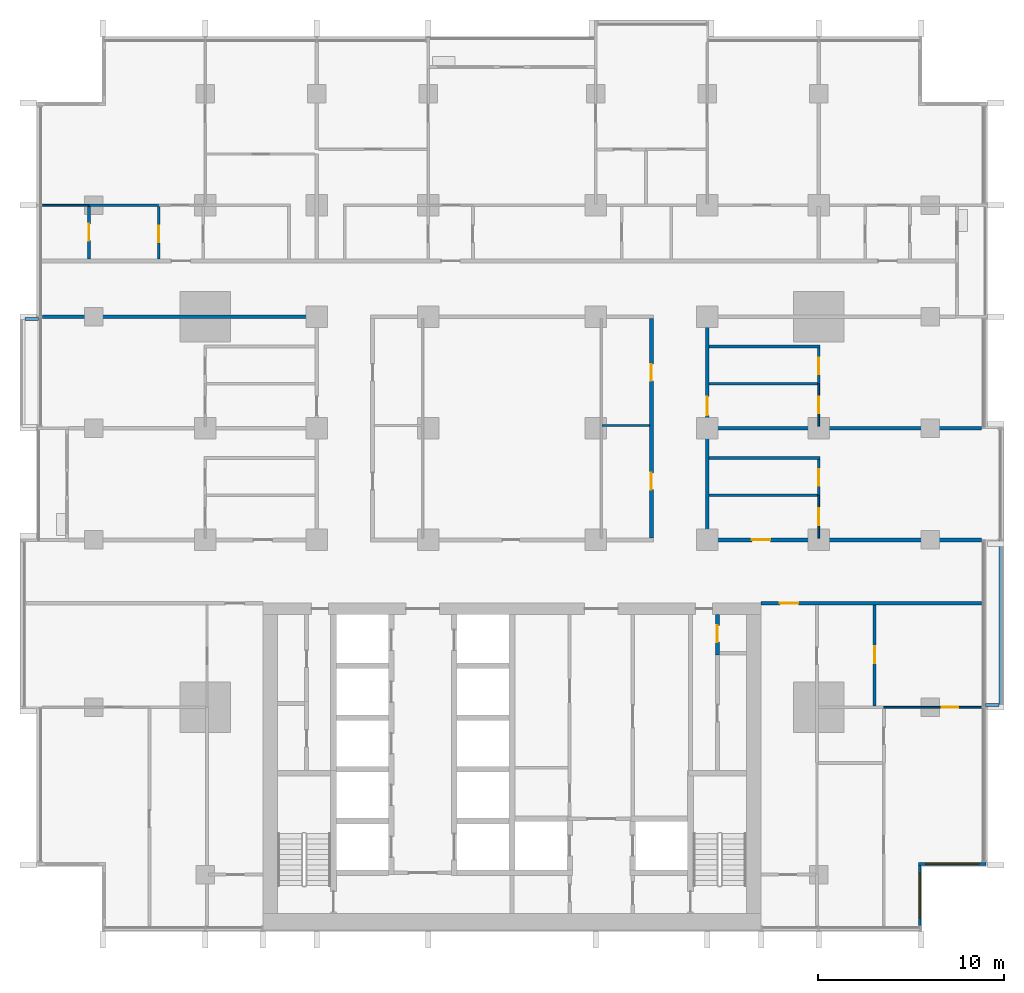
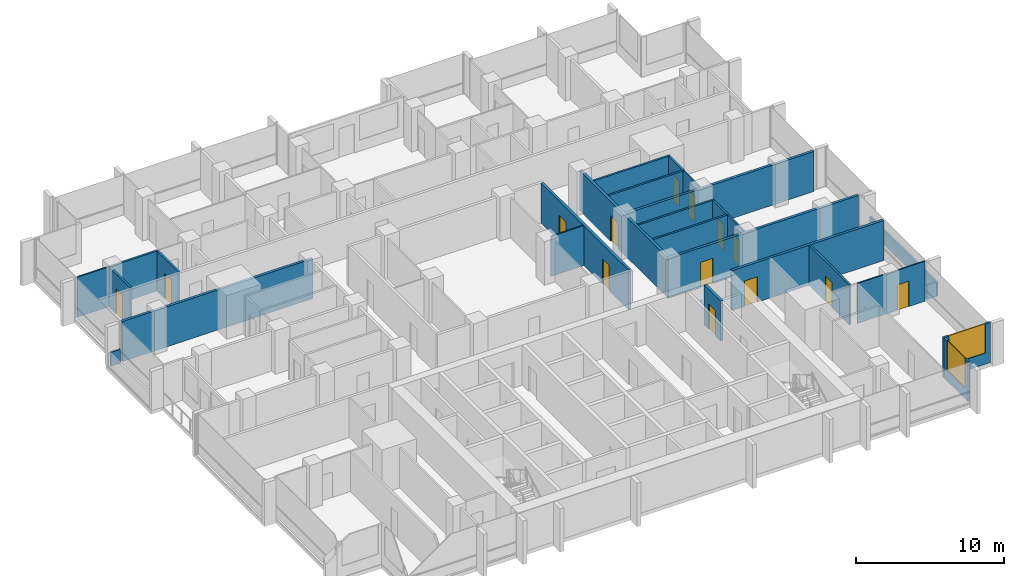
# One storey, part 10 of 17: 27 walls, 14 doors, 2 windows, 16 openings.
"""IFC4 building model written with IfcOpenShell, lengths in metres."""

import ifcopenshell
import ifcopenshell.guid

model = None  # the IFC model being written
_history = None  # IfcOwnerHistory: only IFC2X3 demands one
_inside = {}  # id of a spatial element -> (the spatial element, [elements in it])
_under = {}  # id of a project, library or spatial element -> (it, [spatial elements below it])
_declared = {}  # id of a project -> (the project, [libraries it declares])
_typed = {}  # id of a type object -> (the type object, [elements of that type])
_made_of = {}  # id of a material, layer set ... -> (it, [elements and type objects made of it])


def new_model(schema):
    """Start an empty IFC model of exactly this schema.

    Asked for "IFC4X3", IfcOpenShell would pick the latest addendum, in which some entities
    have other attributes; the version numbers below select the first issue.
    IFC2X3 requires an IfcOwnerHistory on every rooted entity: one is made here for all.
    """
    global model, _history
    if schema == "IFC4X3":
        model = ifcopenshell.file(schema_version=(4, 3, 0, 0))
    else:
        model = ifcopenshell.file(schema=schema)
    _inside.clear()
    _under.clear()
    _declared.clear()
    _typed.clear()
    _made_of.clear()
    _history = None
    if model.schema == "IFC2X3":
        org = make("IfcOrganization", Name="unknown")
        user = make(
            "IfcPersonAndOrganization",
            ThePerson=make("IfcPerson", FamilyName="unknown"),
            TheOrganization=org,
        )
        app = make(
            "IfcApplication",
            ApplicationDeveloper=org,
            Version="unknown",
            ApplicationFullName="unknown",
            ApplicationIdentifier="unknown",
        )
        _history = make(
            "IfcOwnerHistory",
            OwningUser=user,
            OwningApplication=app,
            ChangeAction="ADDED",
            CreationDate=0,
        )
    return model


def make(cls, **values):
    """One entity of the class cls with the attributes given. An attribute that is None is left unset."""
    return model.create_entity(
        cls, **{name: value for name, value in values.items() if value is not None}
    )


def rooted(cls, **values):
    """An entity with a GlobalId (a new one), such as an element, a storey or a relation."""
    return make(cls, GlobalId=ifcopenshell.guid.new(), OwnerHistory=_history, **values)


def si_unit(unit_type, name, prefix=None):
    """IfcSIUnit, for example si_unit("LENGTHUNIT", "METRE", prefix="MILLI")."""
    return make("IfcSIUnit", UnitType=unit_type, Prefix=prefix, Name=name)


def assignment(units):
    """IfcUnitAssignment: the units of a project."""
    return None if units is None else make("IfcUnitAssignment", Units=units)


def point(xyz):
    """IfcCartesianPoint."""
    return None if xyz is None else make("IfcCartesianPoint", Coordinates=xyz)


def direction(xyz):
    """IfcDirection."""
    return None if xyz is None else make("IfcDirection", DirectionRatios=xyz)


def frame(location, z_axis=None, x_axis=None):
    """IfcAxis2Placement3D, a coordinate frame: its origin and axes. An axis left out is left unset."""
    return make(
        "IfcAxis2Placement3D",
        Location=point(location),
        Axis=direction(z_axis),
        RefDirection=direction(x_axis),
    )


def frame_2d(location, x_axis=None):
    """IfcAxis2Placement2D, a coordinate frame in the plane: its origin and x axis."""
    return make(
        "IfcAxis2Placement2D", Location=point(location), RefDirection=direction(x_axis)
    )


def origin():
    """The frame at (0, 0, 0) with its axes left unset."""
    return frame((0.0, 0.0, 0.0))


def place(relative_to, where):
    """IfcLocalPlacement: puts the frame where relative to a parent placement (None: the world)."""
    return make(
        "IfcLocalPlacement", PlacementRelTo=relative_to, RelativePlacement=where
    )


def context(
    kind, dimensions, precision=None, world=None, true_north=None, identifier=None
):
    """IfcGeometricRepresentationContext, for example the 3D "Model" context."""
    return make(
        "IfcGeometricRepresentationContext",
        ContextIdentifier=identifier,
        ContextType=kind,
        CoordinateSpaceDimension=dimensions,
        Precision=precision,
        WorldCoordinateSystem=world,
        TrueNorth=true_north,
    )


def subcontext(parent, identifier, kind, view, scale=None):
    """IfcGeometricRepresentationSubContext, for example "Body" below "Model"."""
    return make(
        "IfcGeometricRepresentationSubContext",
        ContextIdentifier=identifier,
        ContextType=kind,
        ParentContext=parent,
        TargetScale=scale,
        TargetView=view,
    )


def project(units=None, contexts=None):
    """IfcProject with its units and contexts."""
    return rooted(
        "IfcProject",
        Name="project",
        RepresentationContexts=contexts,
        UnitsInContext=assignment(units),
    )


def spatial(cls, under=None, at=None, **own):
    """A site, building, storey or space (cls), placed at a placement, below another one or the project."""
    s = rooted(cls, ObjectPlacement=at, **own)
    if under is not None:
        _under.setdefault(under.id(), (under, []))[1].append(s)
    return s


def profile(cls, at=None, kind="AREA", **sizes):
    """A parametric profile (cls). Its sizes go by their IFC names, for example OverallWidth=200.0."""
    return make(cls, ProfileType=kind, Position=at, **sizes)


def rectangle(**sizes):
    """IfcRectangleProfileDef."""
    return profile("IfcRectangleProfileDef", **sizes)


def extrude(swept, where, along, depth):
    """IfcExtrudedAreaSolid: the profile swept, set in the frame where, extruded along a direction by depth."""
    return make(
        "IfcExtrudedAreaSolid",
        SweptArea=swept,
        Position=where,
        ExtrudedDirection=direction(along),
        Depth=depth,
    )


def shape(context_of_items, identifier, shape_type, items):
    """IfcShapeRepresentation: the items that make up one representation, for example the "Body"."""
    return make(
        "IfcShapeRepresentation",
        ContextOfItems=context_of_items,
        RepresentationIdentifier=identifier,
        RepresentationType=shape_type,
        Items=items,
    )


def material(Name=None, Category=None):
    """IfcMaterial."""
    return make("IfcMaterial", Name=Name, Category=Category)


def layer(
    of_material, thickness, ventilated=None, Name=None, Category=None, Priority=None
):
    """IfcMaterialLayer: one layer of a wall or slab, of a material (None: an air gap)."""
    return make(
        "IfcMaterialLayer",
        Material=of_material,
        LayerThickness=thickness,
        IsVentilated=ventilated,
        Name=Name,
        Category=Category,
        Priority=Priority,
    )


def layer_set(layers, Name=None):
    """IfcMaterialLayerSet."""
    return make("IfcMaterialLayerSet", MaterialLayers=layers, LayerSetName=Name)


def made_of(thing, what):
    """Note that an element or type object is made of a material, layer set ...; save() writes the relation."""
    if what is not None:
        _made_of.setdefault(what.id(), (what, []))[1].append(thing)
    return thing


def type_object(cls, material=None, **own):
    """A type object (cls), such as IfcWallType, which elements share."""
    return made_of(rooted(cls, **own), material)


def element(
    cls,
    number,
    at=None,
    inside=None,
    cuts=None,
    type_object=None,
    material=None,
    context=None,
    identifier="Body",
    shape_type=None,
    held_by="IfcProductDefinitionShape",
    body=None,
    shapes=None,
    **own,
):
    """One element of the class cls, such as IfcWall. Its Tag is "e" and its number.

    at: its placement. inside: the storey or other place that contains it. cuts: it is an
    opening in that element (IfcRelVoidsElement). A single representation is given by context,
    identifier, shape_type and body (its items); several are given by shapes. held_by: the class
    of the entity that holds the representations. save() writes the other relations.
    """
    e = rooted(cls, Tag="e%d" % number, ObjectPlacement=at, **own)
    if body is not None:
        shapes = [shape(context, identifier, shape_type, body)]
    if shapes is not None:
        e.Representation = make(held_by, Representations=shapes)
    if inside is not None:
        _inside.setdefault(inside.id(), (inside, []))[1].append(e)
    if cuts is not None:
        rooted(
            "IfcRelVoidsElement", RelatingBuildingElement=cuts, RelatedOpeningElement=e
        )
    if type_object is not None:
        _typed.setdefault(type_object.id(), (type_object, []))[1].append(e)
    return made_of(e, material)


def fill(opening, filler):
    """IfcRelFillsElement: the door or window that sits in an opening."""
    return rooted(
        "IfcRelFillsElement",
        RelatingOpeningElement=opening,
        RelatedBuildingElement=filler,
    )


def aggregate(whole, parts):
    """IfcRelAggregates: a whole, such as a stair, and the parts it consists of."""
    return rooted("IfcRelAggregates", RelatingObject=whole, RelatedObjects=parts)


def save(model, path):
    """Write the relations noted so far, then the file.

    IfcRelAggregates (storeys below a building ...), IfcRelContainedInSpatialStructure (elements
    in a storey), IfcRelDefinesByType, IfcRelAssociatesMaterial and IfcRelDeclares: one each for
    every whole, place, type object, material and project.
    """
    for whole, parts in _under.values():
        aggregate(whole, parts)
    for where, things in _inside.values():
        rooted(
            "IfcRelContainedInSpatialStructure",
            RelatedElements=things,
            RelatingStructure=where,
        )
    for kind, things in _typed.values():
        rooted("IfcRelDefinesByType", RelatedObjects=things, RelatingType=kind)
    for what, things in _made_of.values():
        rooted("IfcRelAssociatesMaterial", RelatedObjects=things, RelatingMaterial=what)
    for by, libraries in _declared.values():
        rooted("IfcRelDeclares", RelatingContext=by, RelatedDefinitions=libraries)
    model.write(path)


model = new_model("IFC4")

# Units and contexts
model_context = context("Model", 3, precision=1e-05, world=origin(), true_north=direction((0.0, 1.0)))
body_context = subcontext(model_context, "Body", "Model", "MODEL_VIEW")
ifc_project = project(units=[si_unit("LENGTHUNIT", "METRE"), si_unit("AREAUNIT", "SQUARE_METRE"), si_unit("VOLUMEUNIT", "CUBIC_METRE"), si_unit("PLANEANGLEUNIT", "RADIAN"), si_unit("MASSUNIT", "GRAM", prefix="KILO")], contexts=[model_context])

# Site, building, storey
site_placement = place(None, origin())
site = spatial("IfcSite", under=ifc_project, at=site_placement, CompositionType="ELEMENT")
building_placement = place(site_placement, origin())
building = spatial("IfcBuilding", under=site, at=building_placement, Name="Finial Court Residences", CompositionType="ELEMENT")
storey_placement = place(building_placement, frame((0.0, 0.0, 99.10009765625)))
storey = spatial("IfcBuildingStorey", under=building, at=storey_placement, Name="L24", CompositionType="ELEMENT", Elevation=99.10009765625)

# Wall
ifc_material_1 = material(Name="Gypsum board")
ifc_layer_1 = layer(ifc_material_1, 0.02490234375)
ifc_material_2 = material(Name="Acoustic mineral wool in double frame")
ifc_layer_2 = layer(ifc_material_2, 0.14990234375)
ifc_layer_3 = layer(ifc_material_1, 0.02490234375)
ifc_layer_set_1 = layer_set([ifc_layer_1, ifc_layer_2, ifc_layer_3], Name="Acoustic party wall 200, 1 hour")
wall_type_1 = type_object("IfcWallType", Name="Acoustic party wall 200, 1 hour", PredefinedType="PARTITIONING", material=ifc_layer_set_1)
wall_1_placement = place(storey_placement, frame((10.60009765625, 1.5, 0.0), z_axis=(0.0, 0.0, 1.0), x_axis=(1.0, 0.0, 0.0)))
element("IfcWall", 1, at=wall_1_placement, inside=storey, type_object=wall_type_1, Name="Partition L24-017", PredefinedType="PARTITIONING", context=body_context, shape_type="SweptSolid", body=[
    extrude(rectangle(XDim=14.64990234375, YDim=0.199951171875, at=frame_2d((7.324951171875, 0.0))), origin(), (0.0, 0.0, 1.0), 3.2998046875),
])

# Wall, opening, door
ifc_layer_4 = layer(ifc_material_1, 0.02490234375)
ifc_layer_5 = layer(ifc_material_2, 0.14990234375)
ifc_layer_6 = layer(ifc_material_1, 0.02490234375)
ifc_layer_set_2 = layer_set([ifc_layer_4, ifc_layer_5, ifc_layer_6], Name="Corridor wall 200, 1 hour")
wall_type_2 = type_object("IfcWallType", Name="Corridor wall 200, 1 hour", PredefinedType="PARTITIONING", material=ifc_layer_set_2)
wall_2_placement = place(storey_placement, frame((13.39990234375, -7.89990234375, 0.0), z_axis=(0.0, 0.0, 1.0), x_axis=(1.0, 0.0, 0.0)))
wall_2 = element("IfcWall", 2, at=wall_2_placement, inside=storey, type_object=wall_type_2, Name="Partition L24-008", PredefinedType="PARTITIONING", context=body_context, shape_type="SweptSolid", body=[
    extrude(rectangle(XDim=11.85009765625, YDim=0.199951171875, at=frame_2d((5.925048828125, 0.0))), origin(), (0.0, 0.0, 1.0), 3.2998046875),
])
opening_1_placement = place(wall_2_placement, frame((1.0, 0.0, 0.0)))
opening_1 = element("IfcOpeningElement", 3, at=opening_1_placement, cuts=wall_2, Name="Opening L24-D006", PredefinedType="OPENING", context=body_context, shape_type="SweptSolid", body=[
    extrude(rectangle(XDim=1.0, YDim=2.10009765625, at=frame_2d((0.5, 1.050048828125))), frame((0.0, 0.10986328125, 0.0), z_axis=(0.0, -1.0, 0.0), x_axis=(1.0, 0.0, 0.0)), (0.0, 0.0, 1.0), 0.219970703125),
])
ifc_material_3 = material(Name="Timber door leaf in hollow metal frame", Category="wood")
door_type_1 = type_object("IfcDoorType", Name="Fire door set 1000 x 2100, 30 minutes", OperationType="SINGLE_SWING_LEFT", PredefinedType="DOOR", material=ifc_material_3)
door_1_placement = place(opening_1_placement, origin())
door_1 = element("IfcDoor", 4, at=door_1_placement, inside=storey, type_object=door_type_1, Name="Door L24-D006", OperationType="SINGLE_SWING_LEFT", OverallHeight=2.10009765625, OverallWidth=1.0, PredefinedType="DOOR", context=body_context, shape_type="SweptSolid", body=[
    extrude(rectangle(XDim=1.0, YDim=2.10009765625, at=frame_2d((0.5, 1.050048828125))), frame((0.0, 0.02490234375, 0.0), z_axis=(0.0, -1.0, 0.0), x_axis=(1.0, 0.0, 0.0)), (0.0, 0.0, 1.0), 0.050048828125),
])
fill(opening_1, door_1)

wall_3_placement = place(storey_placement, frame((10.39990234375, -4.5, 0.0), z_axis=(0.0, 0.0, 1.0), x_axis=(1.0, 0.0, 0.0)))
wall_3 = element("IfcWall", 5, at=wall_3_placement, inside=storey, type_object=wall_type_2, Name="Partition L24-011", PredefinedType="PARTITIONING", context=body_context, shape_type="SweptSolid", body=[
    extrude(rectangle(XDim=14.85009765625, YDim=0.199951171875, at=frame_2d((7.425048828125, 0.0))), origin(), (0.0, 0.0, 1.0), 3.2998046875),
])
opening_2_placement = place(wall_3_placement, frame((2.5, 0.0, 0.0)))
opening_2 = element("IfcOpeningElement", 6, at=opening_2_placement, cuts=wall_3, Name="Opening L24-D009", PredefinedType="OPENING", context=body_context, shape_type="SweptSolid", body=[
    extrude(rectangle(XDim=1.0, YDim=2.10009765625, at=frame_2d((0.5, 1.050048828125))), frame((0.0, 0.10986328125, 0.0), z_axis=(0.0, -1.0, 0.0), x_axis=(1.0, 0.0, 0.0)), (0.0, 0.0, 1.0), 0.219970703125),
])
door_2_placement = place(opening_2_placement, origin())
door_2 = element("IfcDoor", 7, at=door_2_placement, inside=storey, type_object=door_type_1, Name="Door L24-D009", OperationType="SINGLE_SWING_RIGHT", OverallHeight=2.10009765625, OverallWidth=1.0, PredefinedType="DOOR", context=body_context, shape_type="SweptSolid", body=[
    extrude(rectangle(XDim=1.0, YDim=2.10009765625, at=frame_2d((0.5, 1.050048828125))), frame((0.0, 0.02490234375, 0.0), z_axis=(0.0, -1.0, 0.0), x_axis=(1.0, 0.0, 0.0)), (0.0, 0.0, 1.0), 0.050048828125),
])
fill(opening_2, door_2)

# Wall
wall_4_placement = place(storey_placement, frame((-25.25, 7.5, 0.0), z_axis=(0.0, 0.0, 1.0), x_axis=(1.0, 0.0, 0.0)))
element("IfcWall", 8, at=wall_4_placement, inside=storey, type_object=wall_type_2, Name="Partition L24-024", PredefinedType="PARTITIONING", context=body_context, shape_type="SweptSolid", body=[
    extrude(rectangle(XDim=14.85009765625, YDim=0.199951171875, at=frame_2d((7.425048828125, 0.0))), origin(), (0.0, 0.0, 1.0), 3.2998046875),
])

# Wall, openings, doors
wall_5_placement = place(storey_placement, frame((7.5, -4.39990234375, 0.0), z_axis=(0.0, 0.0, 1.0), x_axis=(0.0, 1.0, 0.0)))
wall_5 = element("IfcWall", 9, at=wall_5_placement, inside=storey, type_object=wall_type_2, Name="Partition L24-067", PredefinedType="PARTITIONING", context=body_context, shape_type="SweptSolid", body=[
    extrude(rectangle(XDim=11.7998046875, YDim=0.199951171875, at=frame_2d((5.89990234375, 0.0))), origin(), (0.0, 0.0, 1.0), 3.2998046875),
])
opening_3_placement = place(wall_5_placement, frame((2.60009765625, 0.0, 0.0)))
opening_3 = element("IfcOpeningElement", 10, at=opening_3_placement, cuts=wall_5, Name="Opening L24-D039", PredefinedType="OPENING", context=body_context, shape_type="SweptSolid", body=[
    extrude(rectangle(XDim=0.89990234375, YDim=2.10009765625, at=frame_2d((0.449951171875, 1.050048828125))), frame((0.0, 0.10986328125, 0.0), z_axis=(0.0, -1.0, 0.0), x_axis=(1.0, 0.0, 0.0)), (0.0, 0.0, 1.0), 0.219970703125),
])
opening_4_placement = place(wall_5_placement, frame((8.449951171875, 0.0, 0.0)))
opening_4 = element("IfcOpeningElement", 11, at=opening_4_placement, cuts=wall_5, Name="Opening L24-D040", PredefinedType="OPENING", context=body_context, shape_type="SweptSolid", body=[
    extrude(rectangle(XDim=0.89990234375, YDim=2.10009765625, at=frame_2d((0.449951171875, 1.050048828125))), frame((0.0, 0.10986328125, 0.0), z_axis=(0.0, -1.0, 0.0), x_axis=(1.0, 0.0, 0.0)), (0.0, 0.0, 1.0), 0.219970703125),
])
door_type_2 = type_object("IfcDoorType", Name="Fire door set 900 x 2100, 30 minutes", OperationType="SINGLE_SWING_LEFT", PredefinedType="DOOR", material=ifc_material_3)
door_3_placement = place(opening_3_placement, origin())
door_3 = element("IfcDoor", 12, at=door_3_placement, inside=storey, type_object=door_type_2, Name="Door L24-D039", OperationType="SINGLE_SWING_RIGHT", OverallHeight=2.10009765625, OverallWidth=0.89990234375, PredefinedType="DOOR", context=body_context, shape_type="SweptSolid", body=[
    extrude(rectangle(XDim=0.89990234375, YDim=2.10009765625, at=frame_2d((0.449951171875, 1.050048828125))), frame((0.0, 0.02490234375, 0.0), z_axis=(0.0, -1.0, 0.0), x_axis=(1.0, 0.0, 0.0)), (0.0, 0.0, 1.0), 0.050048828125),
])
fill(opening_3, door_3)
door_4_placement = place(opening_4_placement, origin())
door_4 = element("IfcDoor", 13, at=door_4_placement, inside=storey, type_object=door_type_2, Name="Door L24-D040", OperationType="SINGLE_SWING_LEFT", OverallHeight=2.10009765625, OverallWidth=0.89990234375, PredefinedType="DOOR", context=body_context, shape_type="SweptSolid", body=[
    extrude(rectangle(XDim=0.89990234375, YDim=2.10009765625, at=frame_2d((0.449951171875, 1.050048828125))), frame((0.0, 0.02490234375, 0.0), z_axis=(0.0, -1.0, 0.0), x_axis=(1.0, 0.0, 0.0)), (0.0, 0.0, 1.0), 0.050048828125),
])
fill(opening_4, door_4)

# Wall, opening, door
wall_6_placement = place(storey_placement, frame((10.5, -4.39990234375, 0.0), z_axis=(0.0, 0.0, 1.0), x_axis=(0.0, 1.0, 0.0)))
wall_6 = element("IfcWall", 14, at=wall_6_placement, inside=storey, type_object=wall_type_2, Name="Partition L24-069", PredefinedType="PARTITIONING", context=body_context, shape_type="SweptSolid", body=[
    extrude(rectangle(XDim=11.7998046875, YDim=0.199951171875, at=frame_2d((5.89990234375, 0.0))), origin(), (0.0, 0.0, 1.0), 3.2998046875),
])
opening_5_placement = place(wall_6_placement, frame((6.60009765625, 0.0, 0.0)))
opening_5 = element("IfcOpeningElement", 15, at=opening_5_placement, cuts=wall_6, Name="Opening L24-D041", PredefinedType="OPENING", context=body_context, shape_type="SweptSolid", body=[
    extrude(rectangle(XDim=1.0, YDim=2.10009765625, at=frame_2d((0.5, 1.050048828125))), frame((0.0, 0.10986328125, 0.0), z_axis=(0.0, -1.0, 0.0), x_axis=(1.0, 0.0, 0.0)), (0.0, 0.0, 1.0), 0.219970703125),
])
door_5_placement = place(opening_5_placement, origin())
door_5 = element("IfcDoor", 16, at=door_5_placement, inside=storey, type_object=door_type_1, Name="Door L24-D041", OperationType="SINGLE_SWING_RIGHT", OverallHeight=2.10009765625, OverallWidth=1.0, PredefinedType="DOOR", context=body_context, shape_type="SweptSolid", body=[
    extrude(rectangle(XDim=1.0, YDim=2.10009765625, at=frame_2d((0.5, 1.050048828125))), frame((0.0, 0.02490234375, 0.0), z_axis=(0.0, -1.0, 0.0), x_axis=(1.0, 0.0, 0.0)), (0.0, 0.0, 1.0), 0.050048828125),
])
fill(opening_5, door_5)

ifc_layer_7 = layer(ifc_material_1, 0.012451171875)
ifc_material_4 = material(Name="Mineral wool in light-gauge frame")
ifc_layer_8 = layer(ifc_material_4, 0.074951171875)
ifc_layer_9 = layer(ifc_material_1, 0.012451171875)
ifc_layer_set_3 = layer_set([ifc_layer_7, ifc_layer_8, ifc_layer_9], Name="Gypsum board partition 100")
wall_type_3 = type_object("IfcWallType", Name="Gypsum board partition 100", PredefinedType="PARTITIONING", material=ifc_layer_set_3)
wall_7_placement = place(storey_placement, frame((20.0, -13.5, 0.0), z_axis=(0.0, 0.0, 1.0), x_axis=(1.0, 0.0, 0.0)))
wall_7 = element("IfcWall", 17, at=wall_7_placement, inside=storey, type_object=wall_type_3, Name="Partition L24-004", PredefinedType="PARTITIONING", context=body_context, shape_type="SweptSolid", body=[
    extrude(rectangle(XDim=5.25, YDim=0.10009765625, at=frame_2d((2.625, 0.0))), origin(), (0.0, 0.0, 1.0), 3.2998046875),
])
opening_6_placement = place(wall_7_placement, frame((3.10009765625, 0.0, 0.0)))
opening_6 = element("IfcOpeningElement", 18, at=opening_6_placement, cuts=wall_7, Name="Opening L24-D004", PredefinedType="OPENING", context=body_context, shape_type="SweptSolid", body=[
    extrude(rectangle(XDim=0.89990234375, YDim=2.10009765625, at=frame_2d((0.449951171875, 1.050048828125))), frame((0.0, 0.06005859375, 0.0), z_axis=(0.0, -1.0, 0.0), x_axis=(1.0, 0.0, 0.0)), (0.0, 0.0, 1.0), 0.1201171875),
])
ifc_material_5 = material(Name="Timber door leaf in timber frame", Category="wood")
door_type_3 = type_object("IfcDoorType", Name="Door set 900 x 2100", OperationType="SINGLE_SWING_LEFT", PredefinedType="DOOR", material=ifc_material_5)
door_6_placement = place(opening_6_placement, origin())
door_6 = element("IfcDoor", 19, at=door_6_placement, inside=storey, type_object=door_type_3, Name="Door L24-D004", OperationType="SINGLE_SWING_RIGHT", OverallHeight=2.10009765625, OverallWidth=0.89990234375, PredefinedType="DOOR", context=body_context, shape_type="SweptSolid", body=[
    extrude(rectangle(XDim=0.89990234375, YDim=2.10009765625, at=frame_2d((0.449951171875, 1.050048828125))), frame((0.0, 0.02490234375, 0.0), z_axis=(0.0, -1.0, 0.0), x_axis=(1.0, 0.0, 0.0)), (0.0, 0.0, 1.0), 0.050048828125),
])
fill(opening_6, door_6)

# Walls
wall_8_placement = place(storey_placement, frame((4.85009765625, 1.64990234375, 0.0), z_axis=(0.0, 0.0, 1.0), x_axis=(1.0, 0.0, 0.0)))
element("IfcWall", 20, at=wall_8_placement, inside=storey, type_object=wall_type_3, Name="Partition L24-019", PredefinedType="PARTITIONING", context=body_context, shape_type="SweptSolid", body=[
    extrude(rectangle(XDim=2.5498046875, YDim=0.10009765625, at=frame_2d((1.27490234375, 0.0))), origin(), (0.0, 0.0, 1.0), 3.2998046875),
])
wall_9_placement = place(storey_placement, frame((-25.25, 13.5, 0.0), z_axis=(0.0, 0.0, 1.0), x_axis=(1.0, 0.0, 0.0)))
element("IfcWall", 21, at=wall_9_placement, inside=storey, type_object=wall_type_3, Name="Partition L24-028", PredefinedType="PARTITIONING", context=body_context, shape_type="SweptSolid", body=[
    extrude(rectangle(XDim=2.5, YDim=0.10009765625, at=frame_2d((1.25, 0.0))), origin(), (0.0, 0.0, 1.0), 3.2998046875),
])

# Wall, opening, door
wall_10_placement = place(storey_placement, frame((16.5, -4.39990234375, 0.0), z_axis=(0.0, 0.0, 1.0), x_axis=(0.0, 1.0, 0.0)))
wall_10 = element("IfcWall", 22, at=wall_10_placement, inside=storey, type_object=wall_type_3, Name="Partition L24-074", PredefinedType="PARTITIONING", context=body_context, shape_type="SweptSolid", body=[
    extrude(rectangle(XDim=2.2998046875, YDim=0.10009765625, at=frame_2d((1.14990234375, 0.0))), origin(), (0.0, 0.0, 1.0), 3.2998046875),
])
opening_7_placement = place(wall_10_placement, frame((0.699951171875, 0.0, 0.0)))
opening_7 = element("IfcOpeningElement", 23, at=opening_7_placement, cuts=wall_10, Name="Opening L24-D044", PredefinedType="OPENING", context=body_context, shape_type="SweptSolid", body=[
    extrude(rectangle(XDim=0.89990234375, YDim=2.10009765625, at=frame_2d((0.449951171875, 1.050048828125))), frame((0.0, 0.06005859375, 0.0), z_axis=(0.0, -1.0, 0.0), x_axis=(1.0, 0.0, 0.0)), (0.0, 0.0, 1.0), 0.1201171875),
])
door_7_placement = place(opening_7_placement, origin())
door_7 = element("IfcDoor", 24, at=door_7_placement, inside=storey, type_object=door_type_3, Name="Door L24-D044", OperationType="SINGLE_SWING_RIGHT", OverallHeight=2.10009765625, OverallWidth=0.89990234375, PredefinedType="DOOR", context=body_context, shape_type="SweptSolid", body=[
    extrude(rectangle(XDim=0.89990234375, YDim=2.10009765625, at=frame_2d((0.449951171875, 1.050048828125))), frame((0.0, 0.02490234375, 0.0), z_axis=(0.0, -1.0, 0.0), x_axis=(1.0, 0.0, 0.0)), (0.0, 0.0, 1.0), 0.050048828125),
])
fill(opening_7, door_7)

wall_11_placement = place(storey_placement, frame((16.5, 1.60009765625, 0.0), z_axis=(0.0, 0.0, 1.0), x_axis=(0.0, 1.0, 0.0)))
wall_11 = element("IfcWall", 25, at=wall_11_placement, inside=storey, type_object=wall_type_3, Name="Partition L24-075", PredefinedType="PARTITIONING", context=body_context, shape_type="SweptSolid", body=[
    extrude(rectangle(XDim=2.2998046875, YDim=0.10009765625, at=frame_2d((1.14990234375, 0.0))), origin(), (0.0, 0.0, 1.0), 3.2998046875),
])
opening_8_placement = place(wall_11_placement, frame((0.699951171875, 0.0, 0.0)))
opening_8 = element("IfcOpeningElement", 26, at=opening_8_placement, cuts=wall_11, Name="Opening L24-D045", PredefinedType="OPENING", context=body_context, shape_type="SweptSolid", body=[
    extrude(rectangle(XDim=0.89990234375, YDim=2.10009765625, at=frame_2d((0.449951171875, 1.050048828125))), frame((0.0, 0.06005859375, 0.0), z_axis=(0.0, -1.0, 0.0), x_axis=(1.0, 0.0, 0.0)), (0.0, 0.0, 1.0), 0.1201171875),
])
door_8_placement = place(opening_8_placement, origin())
door_8 = element("IfcDoor", 27, at=door_8_placement, inside=storey, type_object=door_type_3, Name="Door L24-D045", OperationType="SINGLE_SWING_RIGHT", OverallHeight=2.10009765625, OverallWidth=0.89990234375, PredefinedType="DOOR", context=body_context, shape_type="SweptSolid", body=[
    extrude(rectangle(XDim=0.89990234375, YDim=2.10009765625, at=frame_2d((0.449951171875, 1.050048828125))), frame((0.0, 0.02490234375, 0.0), z_axis=(0.0, -1.0, 0.0), x_axis=(1.0, 0.0, 0.0)), (0.0, 0.0, 1.0), 0.050048828125),
])
fill(opening_8, door_8)

# Walls
ifc_material_6 = material(Name="Moisture-resistant gypsum board")
ifc_layer_10 = layer(ifc_material_6, 0.012451171875)
ifc_layer_11 = layer(ifc_material_4, 0.125)
ifc_layer_12 = layer(ifc_material_6, 0.012451171875)
ifc_layer_set_4 = layer_set([ifc_layer_10, ifc_layer_11, ifc_layer_12], Name="Gypsum board wet-area partition 150")
wall_type_4 = type_object("IfcWallType", Name="Gypsum board wet-area partition 150", PredefinedType="PARTITIONING", material=ifc_layer_set_4)
wall_12_placement = place(storey_placement, frame((10.60009765625, -2.10009765625, 0.0), z_axis=(0.0, 0.0, 1.0), x_axis=(1.0, 0.0, 0.0)))
element("IfcWall", 28, at=wall_12_placement, inside=storey, type_object=wall_type_4, Name="Partition L24-013", PredefinedType="PARTITIONING", context=body_context, shape_type="SweptSolid", body=[
    extrude(rectangle(XDim=5.824951171875, YDim=0.14990234375, at=frame_2d((2.91259765625, 0.0))), origin(), (0.0, 0.0, 1.0), 3.2998046875),
])
wall_13_placement = place(storey_placement, frame((10.60009765625, -0.10009765625, 0.0), z_axis=(0.0, 0.0, 1.0), x_axis=(1.0, 0.0, 0.0)))
element("IfcWall", 29, at=wall_13_placement, inside=storey, type_object=wall_type_4, Name="Partition L24-015", PredefinedType="PARTITIONING", context=body_context, shape_type="SweptSolid", body=[
    extrude(rectangle(XDim=5.974853515625, YDim=0.14990234375, at=frame_2d((2.9873046875, 0.0))), origin(), (0.0, 0.0, 1.0), 3.2998046875),
])
wall_14_placement = place(storey_placement, frame((10.60009765625, 3.89990234375, 0.0), z_axis=(0.0, 0.0, 1.0), x_axis=(1.0, 0.0, 0.0)))
element("IfcWall", 30, at=wall_14_placement, inside=storey, type_object=wall_type_4, Name="Partition L24-021", PredefinedType="PARTITIONING", context=body_context, shape_type="SweptSolid", body=[
    extrude(rectangle(XDim=5.824951171875, YDim=0.14990234375, at=frame_2d((2.91259765625, 0.0))), origin(), (0.0, 0.0, 1.0), 3.2998046875),
])
wall_15_placement = place(storey_placement, frame((10.60009765625, 5.89990234375, 0.0), z_axis=(0.0, 0.0, 1.0), x_axis=(1.0, 0.0, 0.0)))
element("IfcWall", 31, at=wall_15_placement, inside=storey, type_object=wall_type_4, Name="Partition L24-023", PredefinedType="PARTITIONING", context=body_context, shape_type="SweptSolid", body=[
    extrude(rectangle(XDim=5.974853515625, YDim=0.14990234375, at=frame_2d((2.9873046875, 0.0))), origin(), (0.0, 0.0, 1.0), 3.2998046875),
])
wall_16_placement = place(storey_placement, frame((-22.75, 13.5, 0.0), z_axis=(0.0, 0.0, 1.0), x_axis=(1.0, 0.0, 0.0)))
element("IfcWall", 32, at=wall_16_placement, inside=storey, type_object=wall_type_4, Name="Partition L24-032", PredefinedType="PARTITIONING", context=body_context, shape_type="SweptSolid", body=[
    extrude(rectangle(XDim=3.75, YDim=0.14990234375, at=frame_2d((1.875, 0.0))), origin(), (0.0, 0.0, 1.0), 3.2998046875),
])

# Wall, opening, door
wall_17_placement = place(storey_placement, frame((-22.75, 10.60009765625, 0.0), z_axis=(0.0, 0.0, 1.0), x_axis=(0.0, 1.0, 0.0)))
wall_17 = element("IfcWall", 33, at=wall_17_placement, inside=storey, type_object=wall_type_4, Name="Partition L24-041", PredefinedType="PARTITIONING", context=body_context, shape_type="SweptSolid", body=[
    extrude(rectangle(XDim=2.824951171875, YDim=0.14990234375, at=frame_2d((1.41259765625, 0.0))), origin(), (0.0, 0.0, 1.0), 3.2998046875),
])
opening_9_placement = place(wall_17_placement, frame((1.0, 0.0, 0.0)))
opening_9 = element("IfcOpeningElement", 34, at=opening_9_placement, cuts=wall_17, Name="Opening L24-D021", PredefinedType="OPENING", context=body_context, shape_type="SweptSolid", body=[
    extrude(rectangle(XDim=0.89990234375, YDim=2.10009765625, at=frame_2d((0.449951171875, 1.050048828125))), frame((0.0, 0.0849609375, 0.0), z_axis=(0.0, -1.0, 0.0), x_axis=(1.0, 0.0, 0.0)), (0.0, 0.0, 1.0), 0.169921875),
])
door_9_placement = place(opening_9_placement, origin())
door_9 = element("IfcDoor", 35, at=door_9_placement, inside=storey, type_object=door_type_3, Name="Door L24-D021", OperationType="SINGLE_SWING_LEFT", OverallHeight=2.10009765625, OverallWidth=0.89990234375, PredefinedType="DOOR", context=body_context, shape_type="SweptSolid", body=[
    extrude(rectangle(XDim=0.89990234375, YDim=2.10009765625, at=frame_2d((0.449951171875, 1.050048828125))), frame((0.0, 0.02490234375, 0.0), z_axis=(0.0, -1.0, 0.0), x_axis=(1.0, 0.0, 0.0)), (0.0, 0.0, 1.0), 0.050048828125),
])
fill(opening_9, door_9)

wall_18_placement = place(storey_placement, frame((-19.0, 10.60009765625, 0.0), z_axis=(0.0, 0.0, 1.0), x_axis=(0.0, 1.0, 0.0)))
wall_18 = element("IfcWall", 36, at=wall_18_placement, inside=storey, type_object=wall_type_4, Name="Partition L24-043", PredefinedType="PARTITIONING", context=body_context, shape_type="SweptSolid", body=[
    extrude(rectangle(XDim=2.824951171875, YDim=0.14990234375, at=frame_2d((1.41259765625, 0.0))), origin(), (0.0, 0.0, 1.0), 3.2998046875),
])
opening_10_placement = place(wall_18_placement, frame((0.89990234375, 0.0, 0.0)))
opening_10 = element("IfcOpeningElement", 37, at=opening_10_placement, cuts=wall_18, Name="Opening L24-D023", PredefinedType="OPENING", context=body_context, shape_type="SweptSolid", body=[
    extrude(rectangle(XDim=0.89990234375, YDim=2.10009765625, at=frame_2d((0.449951171875, 1.050048828125))), frame((0.0, 0.0849609375, 0.0), z_axis=(0.0, -1.0, 0.0), x_axis=(1.0, 0.0, 0.0)), (0.0, 0.0, 1.0), 0.169921875),
])
door_10_placement = place(opening_10_placement, origin())
door_10 = element("IfcDoor", 38, at=door_10_placement, inside=storey, type_object=door_type_3, Name="Door L24-D023", OperationType="SINGLE_SWING_RIGHT", OverallHeight=2.10009765625, OverallWidth=0.89990234375, PredefinedType="DOOR", context=body_context, shape_type="SweptSolid", body=[
    extrude(rectangle(XDim=0.89990234375, YDim=2.10009765625, at=frame_2d((0.449951171875, 1.050048828125))), frame((0.0, 0.02490234375, 0.0), z_axis=(0.0, -1.0, 0.0), x_axis=(1.0, 0.0, 0.0)), (0.0, 0.0, 1.0), 0.050048828125),
])
fill(opening_10, door_10)

wall_19_placement = place(storey_placement, frame((16.5, -2.10009765625, 0.0), z_axis=(0.0, 0.0, 1.0), x_axis=(0.0, 1.0, 0.0)))
wall_19 = element("IfcWall", 39, at=wall_19_placement, inside=storey, type_object=wall_type_4, Name="Partition L24-078", PredefinedType="PARTITIONING", context=body_context, shape_type="SweptSolid", body=[
    extrude(rectangle(XDim=1.925048828125, YDim=0.14990234375, at=frame_2d((0.96240234375, 0.0))), origin(), (0.0, 0.0, 1.0), 3.2998046875),
])
opening_11_placement = place(wall_19_placement, frame((0.5, 0.0, 0.0)))
opening_11 = element("IfcOpeningElement", 40, at=opening_11_placement, cuts=wall_19, Name="Opening L24-D046", PredefinedType="OPENING", context=body_context, shape_type="SweptSolid", body=[
    extrude(rectangle(XDim=0.89990234375, YDim=2.10009765625, at=frame_2d((0.449951171875, 1.050048828125))), frame((0.0, 0.0849609375, 0.0), z_axis=(0.0, -1.0, 0.0), x_axis=(1.0, 0.0, 0.0)), (0.0, 0.0, 1.0), 0.169921875),
])
door_11_placement = place(opening_11_placement, origin())
door_11 = element("IfcDoor", 41, at=door_11_placement, inside=storey, type_object=door_type_3, Name="Door L24-D046", OperationType="SINGLE_SWING_RIGHT", OverallHeight=2.10009765625, OverallWidth=0.89990234375, PredefinedType="DOOR", context=body_context, shape_type="SweptSolid", body=[
    extrude(rectangle(XDim=0.89990234375, YDim=2.10009765625, at=frame_2d((0.449951171875, 1.050048828125))), frame((0.0, 0.02490234375, 0.0), z_axis=(0.0, -1.0, 0.0), x_axis=(1.0, 0.0, 0.0)), (0.0, 0.0, 1.0), 0.050048828125),
])
fill(opening_11, door_11)

wall_20_placement = place(storey_placement, frame((16.5, 3.89990234375, 0.0), z_axis=(0.0, 0.0, 1.0), x_axis=(0.0, 1.0, 0.0)))
wall_20 = element("IfcWall", 42, at=wall_20_placement, inside=storey, type_object=wall_type_4, Name="Partition L24-079", PredefinedType="PARTITIONING", context=body_context, shape_type="SweptSolid", body=[
    extrude(rectangle(XDim=1.925048828125, YDim=0.14990234375, at=frame_2d((0.96240234375, 0.0))), origin(), (0.0, 0.0, 1.0), 3.2998046875),
])
opening_12_placement = place(wall_20_placement, frame((0.5, 0.0, 0.0)))
opening_12 = element("IfcOpeningElement", 43, at=opening_12_placement, cuts=wall_20, Name="Opening L24-D047", PredefinedType="OPENING", context=body_context, shape_type="SweptSolid", body=[
    extrude(rectangle(XDim=0.89990234375, YDim=2.10009765625, at=frame_2d((0.449951171875, 1.050048828125))), frame((0.0, 0.0849609375, 0.0), z_axis=(0.0, -1.0, 0.0), x_axis=(1.0, 0.0, 0.0)), (0.0, 0.0, 1.0), 0.169921875),
])
door_12_placement = place(opening_12_placement, origin())
door_12 = element("IfcDoor", 44, at=door_12_placement, inside=storey, type_object=door_type_3, Name="Door L24-D047", OperationType="SINGLE_SWING_LEFT", OverallHeight=2.10009765625, OverallWidth=0.89990234375, PredefinedType="DOOR", context=body_context, shape_type="SweptSolid", body=[
    extrude(rectangle(XDim=0.89990234375, YDim=2.10009765625, at=frame_2d((0.449951171875, 1.050048828125))), frame((0.0, 0.02490234375, 0.0), z_axis=(0.0, -1.0, 0.0), x_axis=(1.0, 0.0, 0.0)), (0.0, 0.0, 1.0), 0.050048828125),
])
fill(opening_12, door_12)

wall_21_placement = place(storey_placement, frame((19.5, -13.425048828125, 0.0), z_axis=(0.0, 0.0, 1.0), x_axis=(0.0, 1.0, 0.0)))
wall_21 = element("IfcWall", 45, at=wall_21_placement, inside=storey, type_object=wall_type_4, Name="Partition L24-081", PredefinedType="PARTITIONING", context=body_context, shape_type="SweptSolid", body=[
    extrude(rectangle(XDim=5.425048828125, YDim=0.14990234375, at=frame_2d((2.71240234375, 0.0))), origin(), (0.0, 0.0, 1.0), 3.2998046875),
])
opening_13_placement = place(wall_21_placement, frame((2.300048828125, 0.0, 0.0)))
opening_13 = element("IfcOpeningElement", 46, at=opening_13_placement, cuts=wall_21, Name="Opening L24-D049", PredefinedType="OPENING", context=body_context, shape_type="SweptSolid", body=[
    extrude(rectangle(XDim=0.89990234375, YDim=2.10009765625, at=frame_2d((0.449951171875, 1.050048828125))), frame((0.0, 0.0849609375, 0.0), z_axis=(0.0, -1.0, 0.0), x_axis=(1.0, 0.0, 0.0)), (0.0, 0.0, 1.0), 0.169921875),
])
door_13_placement = place(opening_13_placement, origin())
door_13 = element("IfcDoor", 47, at=door_13_placement, inside=storey, type_object=door_type_3, Name="Door L24-D049", OperationType="SINGLE_SWING_LEFT", OverallHeight=2.10009765625, OverallWidth=0.89990234375, PredefinedType="DOOR", context=body_context, shape_type="SweptSolid", body=[
    extrude(rectangle(XDim=0.89990234375, YDim=2.10009765625, at=frame_2d((0.449951171875, 1.050048828125))), frame((0.0, 0.02490234375, 0.0), z_axis=(0.0, -1.0, 0.0), x_axis=(1.0, 0.0, 0.0)), (0.0, 0.0, 1.0), 0.050048828125),
])
fill(opening_13, door_13)

# Walls
ifc_material_7 = material(Name="Concrete C35/45", Category="concrete")
ifc_layer_13 = layer(ifc_material_7, 0.14990234375)
ifc_layer_set_5 = layer_set([ifc_layer_13], Name="Ledge parapet, Concrete C35/45 150")
wall_type_5 = type_object("IfcWallType", Name="Ledge parapet, Concrete C35/45 150", PredefinedType="PARAPET", material=ifc_layer_set_5)
wall_22_placement = place(storey_placement, frame((-26.199951171875, 7.375, 0.0), z_axis=(0.0, 0.0, 1.0), x_axis=(1.0, 0.0, 0.0)))
element("IfcWall", 48, at=wall_22_placement, inside=storey, type_object=wall_type_5, Name="E-L24-LED1-P3", PredefinedType="PARAPET", context=body_context, shape_type="SweptSolid", body=[
    extrude(rectangle(XDim=0.739990234375, YDim=0.14990234375, at=frame_2d((0.3701171875, 0.0))), origin(), (0.0, 0.0, 1.0), 1.14990234375),
])
wall_23_placement = place(storey_placement, frame((26.27490234375, -4.4599609375, 0.0), z_axis=(0.0, 0.0, 1.0), x_axis=(0.0, -1.0, 0.0)))
element("IfcWall", 49, at=wall_23_placement, inside=storey, type_object=wall_type_5, Name="E-L24-LED2-P1", PredefinedType="PARAPET", context=body_context, shape_type="SweptSolid", body=[
    extrude(rectangle(XDim=8.989990234375, YDim=0.14990234375, at=frame_2d((4.4951171875, 0.0))), origin(), (0.0, 0.0, 1.0), 1.14990234375),
])
wall_24_placement = place(storey_placement, frame((26.199951171875, -13.375, 0.0), z_axis=(0.0, 0.0, 1.0), x_axis=(-1.0, 0.0, 0.0)))
element("IfcWall", 50, at=wall_24_placement, inside=storey, type_object=wall_type_5, Name="E-L24-LED2-P2", PredefinedType="PARAPET", context=body_context, shape_type="SweptSolid", body=[
    extrude(rectangle(XDim=0.739990234375, YDim=0.14990234375, at=frame_2d((0.3701171875, 0.0))), origin(), (0.0, 0.0, 1.0), 1.14990234375),
])

# Wall, opening, window
ifc_material_8 = material(Name="Natural limestone", Category="masonry")
ifc_layer_14 = layer(ifc_material_8, 0.14990234375)
ifc_layer_set_6 = layer_set([ifc_layer_14], Name="Limestone clad wall 150")
wall_type_6 = type_object("IfcWallType", Name="Limestone clad wall 150", PredefinedType="SOLIDWALL", material=ifc_layer_set_6)
wall_25_placement = place(storey_placement, frame((21.925048828125, -22.0, 0.0), z_axis=(0.0, 0.0, 1.0), x_axis=(0.0, -1.0, 0.0)))
wall_25 = element("IfcWall", 51, at=wall_25_placement, inside=storey, type_object=wall_type_6, Name="E-L24-NWE15", PredefinedType="SOLIDWALL", context=body_context, shape_type="SweptSolid", body=[
    extrude(rectangle(XDim=3.25, YDim=0.14990234375, at=frame_2d((1.625, 0.0))), origin(), (0.0, 0.0, 1.0), 3.2998046875),
])
opening_14_placement = place(wall_25_placement, frame((0.39990234375, 0.0, 0.89990234375)))
opening_14 = element("IfcOpeningElement", 52, at=opening_14_placement, cuts=wall_25, Name="Opening WE24-03", PredefinedType="OPENING", context=body_context, shape_type="SweptSolid", body=[
    extrude(rectangle(XDim=2.449951171875, YDim=2.39990234375, at=frame_2d((1.22509765625, 1.199951171875))), frame((0.0, 0.0849609375, 0.0), z_axis=(0.0, -1.0, 0.0), x_axis=(1.0, 0.0, 0.0)), (0.0, 0.0, 1.0), 0.169921875),
])
ifc_material_9 = material(Name="Clear low-e glass", Category="glass")
window_type_1 = type_object("IfcWindowType", Name="Corner window 2450 x 2400", PartitioningType="SINGLE_PANEL", PredefinedType="WINDOW", material=ifc_material_9)
window_1_placement = place(opening_14_placement, origin())
window_1 = element("IfcWindow", 53, at=window_1_placement, inside=storey, type_object=window_type_1, Name="E-L24-NWE15-W1", OverallHeight=2.39990234375, OverallWidth=2.449951171875, PartitioningType="SINGLE_PANEL", PredefinedType="WINDOW", context=body_context, shape_type="SweptSolid", body=[
    extrude(rectangle(XDim=2.449951171875, YDim=2.39990234375, at=frame_2d((1.22509765625, 1.199951171875))), frame((0.0, 0.030029296875, 0.0), z_axis=(0.0, -1.0, 0.0), x_axis=(1.0, 0.0, 0.0)), (0.0, 0.0, 1.0), 0.06005859375),
])
fill(opening_14, window_1)

wall_26_placement = place(storey_placement, frame((25.5, -21.925048828125, 0.0), z_axis=(0.0, 0.0, 1.0), x_axis=(-1.0, 0.0, 0.0)))
wall_26 = element("IfcWall", 54, at=wall_26_placement, inside=storey, type_object=wall_type_6, Name="E-L24-NWS16", PredefinedType="SOLIDWALL", context=body_context, shape_type="SweptSolid", body=[
    extrude(rectangle(XDim=3.64990234375, YDim=0.14990234375, at=frame_2d((1.824951171875, 0.0))), origin(), (0.0, 0.0, 1.0), 3.2998046875),
])
opening_15_placement = place(wall_26_placement, frame((0.39990234375, 0.0, 0.89990234375)))
opening_15 = element("IfcOpeningElement", 55, at=opening_15_placement, cuts=wall_26, Name="Opening WE24-04", PredefinedType="OPENING", context=body_context, shape_type="SweptSolid", body=[
    extrude(rectangle(XDim=2.85009765625, YDim=2.39990234375, at=frame_2d((1.425048828125, 1.199951171875))), frame((0.0, 0.0849609375, 0.0), z_axis=(0.0, -1.0, 0.0), x_axis=(1.0, 0.0, 0.0)), (0.0, 0.0, 1.0), 0.169921875),
])
window_type_2 = type_object("IfcWindowType", Name="Corner window 2850 x 2400", PartitioningType="SINGLE_PANEL", PredefinedType="WINDOW", material=ifc_material_9)
window_2_placement = place(opening_15_placement, origin())
window_2 = element("IfcWindow", 56, at=window_2_placement, inside=storey, type_object=window_type_2, Name="E-L24-NWS16-W1", OverallHeight=2.39990234375, OverallWidth=2.85009765625, PartitioningType="SINGLE_PANEL", PredefinedType="WINDOW", context=body_context, shape_type="SweptSolid", body=[
    extrude(rectangle(XDim=2.85009765625, YDim=2.39990234375, at=frame_2d((1.425048828125, 1.199951171875))), frame((0.0, 0.030029296875, 0.0), z_axis=(0.0, -1.0, 0.0), x_axis=(1.0, 0.0, 0.0)), (0.0, 0.0, 1.0), 0.06005859375),
])
fill(opening_15, window_2)

# Wall, opening, door
ifc_material_10 = material(Name="Fire-rated gypsum board partition")
ifc_layer_15 = layer(ifc_material_10, 0.199951171875)
ifc_layer_set_7 = layer_set([ifc_layer_15], Name="Riser room wall 200 EI 120")
wall_type_7 = type_object("IfcWallType", Name="Riser room wall 200 EI 120", PredefinedType="PARTITIONING", material=ifc_layer_set_7)
wall_27_placement = place(storey_placement, frame((11.050048828125, -8.5, 0.0), z_axis=(0.0, 0.0, 1.0), x_axis=(0.0, -1.0, 0.0)))
wall_27 = element("IfcWall", 57, at=wall_27_placement, inside=storey, type_object=wall_type_7, Name="Core partition L24-38", PredefinedType="PARTITIONING", context=body_context, shape_type="SweptSolid", body=[
    extrude(rectangle(XDim=2.199951171875, YDim=0.199951171875, at=frame_2d((1.10009765625, 0.0))), origin(), (0.0, 0.0, 1.0), 3.2998046875),
])
opening_16_placement = place(wall_27_placement, frame((0.60009765625, 0.0, 0.0)))
opening_16 = element("IfcOpeningElement", 58, at=opening_16_placement, cuts=wall_27, Name="Opening L24-C08", PredefinedType="OPENING", context=body_context, shape_type="SweptSolid", body=[
    extrude(rectangle(XDim=0.89990234375, YDim=2.10009765625, at=frame_2d((0.449951171875, 1.050048828125))), frame((0.0, 0.10986328125, 0.0), z_axis=(0.0, -1.0, 0.0), x_axis=(1.0, 0.0, 0.0)), (0.0, 0.0, 1.0), 0.219970703125),
])
ifc_material_11 = material(Name="Steel fire door", Category="steel")
door_type_4 = type_object("IfcDoorType", Name="Riser room door 900 x 2100 EI 90", OperationType="NOTDEFINED", PredefinedType="DOOR", material=ifc_material_11)
door_14_placement = place(opening_16_placement, origin())
door_14 = element("IfcDoor", 59, at=door_14_placement, inside=storey, type_object=door_type_4, Name="Riser room door L24-C08", OperationType="SINGLE_SWING_RIGHT", OverallHeight=2.10009765625, OverallWidth=0.89990234375, PredefinedType="DOOR", context=body_context, shape_type="SweptSolid", body=[
    extrude(rectangle(XDim=0.89990234375, YDim=2.10009765625, at=frame_2d((0.449951171875, 1.050048828125))), frame((0.0, 0.02490234375, 0.0), z_axis=(0.0, -1.0, 0.0), x_axis=(1.0, 0.0, 0.0)), (0.0, 0.0, 1.0), 0.050048828125),
])
fill(opening_16, door_14)

save(model, "model.ifc")
